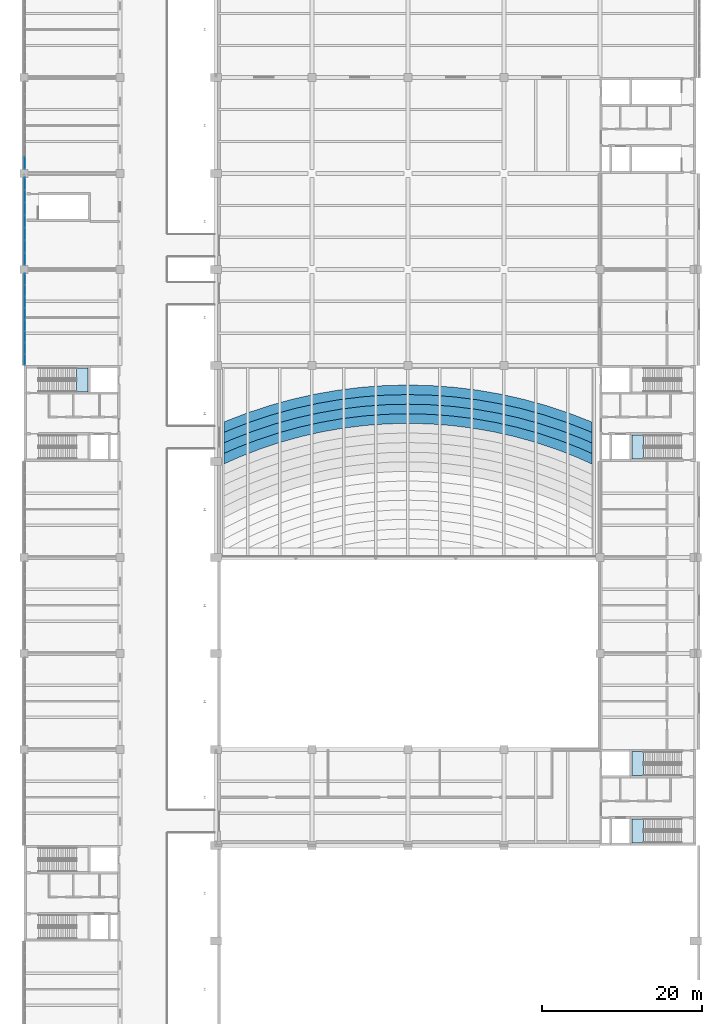
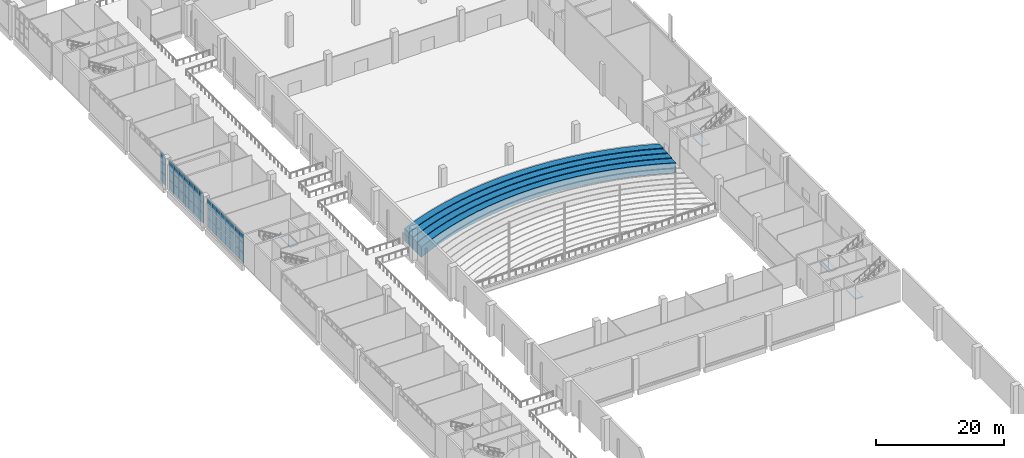
# One storey, part 45 of 72: 48 plates, 8 slabs, 7 elements without a shape of their own.
"""IFC4 building model written with IfcOpenShell, lengths in metres."""

from ifc_helpers import new_model, si_unit, direction, frame, origin, origin_2d, place, context, subcontext, project, spatial, polyline, rectangle, outline, extrude, material, layer, layer_set, type_object, element, aggregate, save


model = new_model("IFC4")

# Units and contexts
model_context = context("Model", 3, precision=1e-05, world=origin(), true_north=direction((0.0, 1.0)))
body_context = subcontext(model_context, "Body", "Model", "MODEL_VIEW")
ifc_project = project(units=[si_unit("LENGTHUNIT", "METRE"), si_unit("AREAUNIT", "SQUARE_METRE"), si_unit("VOLUMEUNIT", "CUBIC_METRE"), si_unit("PLANEANGLEUNIT", "RADIAN"), si_unit("MASSUNIT", "GRAM", prefix="KILO")], contexts=[model_context])

# Site, building, storey
site_placement = place(None, origin())
site = spatial("IfcSite", under=ifc_project, at=site_placement, CompositionType="ELEMENT")
building_placement = place(site_placement, origin())
building = spatial("IfcBuilding", under=site, at=building_placement, Name="Lilac Gate Convention Centre", CompositionType="ELEMENT")
storey_placement = place(building_placement, frame((0.0, 0.0, 6.0)))
storey = spatial("IfcBuildingStorey", under=building, at=storey_placement, Name="L01", CompositionType="ELEMENT", Elevation=6.0)

# Curtain wall, plates
ifc_material_1 = material(Name="Aluminium framed double glazing", Category="aluminium")
ifc_layer_1 = layer(ifc_material_1, 0.199951171875)
ifc_layer_set_1 = layer_set([ifc_layer_1], Name="Aluminium framed double glazing")
curtain_wall_type = type_object("IfcCurtainWallType", Name="Unitised curtain wall 1500", PredefinedType="NOTDEFINED", material=ifc_layer_set_1)
curtain_wall_1_placement = place(storey_placement, origin())
curtain_wall_1 = element("IfcCurtainWall", 1, at=curtain_wall_1_placement, inside=storey, type_object=curtain_wall_type, Name="Curtain wall PW L01 2", PredefinedType="NOTDEFINED")
ifc_material_2 = material(Name="Double glazed unit low emissivity")
ifc_layer_2 = layer(ifc_material_2, 0.028076171875)
ifc_layer_set_2 = layer_set([ifc_layer_2], Name="Double glazed unit low emissivity")
plate_type_1 = type_object("IfcPlateType", Name="Curtain wall glass panel 28", PredefinedType="CURTAIN_PANEL", material=ifc_layer_set_2)
plate_1_placement = place(storey_placement, frame((6.10009765625, 187.30078125, 1.94677734375), z_axis=(0.0, 0.0, 1.0), x_axis=(0.0, -1.0, 0.0)))
plate_1 = element("IfcPlate", 2, at=plate_1_placement, type_object=plate_type_1, Name="CW panel 7.2", PredefinedType="CURTAIN_PANEL", context=body_context, shape_type="SweptSolid", body=[
    extrude(rectangle(XDim=1.4814453125, YDim=0.028076171875, at=origin_2d()), origin(), (0.0, 0.0, 1.0), 1.856689453125),
])
plate_2_placement = place(storey_placement, frame((6.10009765625, 187.30078125, 3.86328125), z_axis=(0.0, 0.0, 1.0), x_axis=(0.0, -1.0, 0.0)))
plate_2 = element("IfcPlate", 3, at=plate_2_placement, type_object=plate_type_1, Name="CW panel 7.3", PredefinedType="CURTAIN_PANEL", context=body_context, shape_type="SweptSolid", body=[
    extrude(rectangle(XDim=1.4814453125, YDim=0.028076171875, at=origin_2d()), origin(), (0.0, 0.0, 1.0), 1.82666015625),
])

curtain_wall_2_placement = place(storey_placement, origin())
curtain_wall_2 = element("IfcCurtainWall", 4, at=curtain_wall_2_placement, inside=storey, type_object=curtain_wall_type, Name="Curtain wall PW L01 3", PredefinedType="NOTDEFINED")
plate_3_placement = place(storey_placement, frame((6.10009765625, 184.69921875, 1.94677734375), z_axis=(0.0, 0.0, 1.0), x_axis=(0.0, -1.0, 0.0)))
plate_3 = element("IfcPlate", 5, at=plate_3_placement, type_object=plate_type_1, Name="CW panel 1.2", PredefinedType="CURTAIN_PANEL", context=body_context, shape_type="SweptSolid", body=[
    extrude(rectangle(XDim=1.4814453125, YDim=0.028076171875, at=origin_2d()), origin(), (0.0, 0.0, 1.0), 1.856689453125),
])
plate_4_placement = place(storey_placement, frame((6.10009765625, 184.69921875, 3.86328125), z_axis=(0.0, 0.0, 1.0), x_axis=(0.0, -1.0, 0.0)))
plate_4 = element("IfcPlate", 6, at=plate_4_placement, type_object=plate_type_1, Name="CW panel 1.3", PredefinedType="CURTAIN_PANEL", context=body_context, shape_type="SweptSolid", body=[
    extrude(rectangle(XDim=1.4814453125, YDim=0.028076171875, at=origin_2d()), origin(), (0.0, 0.0, 1.0), 1.82666015625),
])
plate_5_placement = place(storey_placement, frame((6.10009765625, 183.142822265625, 1.94677734375), z_axis=(0.0, 0.0, 1.0), x_axis=(0.0, -1.0, 0.0)))
plate_5 = element("IfcPlate", 7, at=plate_5_placement, type_object=plate_type_1, Name="CW panel 2.2", PredefinedType="CURTAIN_PANEL", context=body_context, shape_type="SweptSolid", body=[
    extrude(rectangle(XDim=1.511474609375, YDim=0.028076171875, at=origin_2d()), origin(), (0.0, 0.0, 1.0), 1.856689453125),
])
plate_6_placement = place(storey_placement, frame((6.10009765625, 183.142822265625, 3.86328125), z_axis=(0.0, 0.0, 1.0), x_axis=(0.0, -1.0, 0.0)))
plate_6 = element("IfcPlate", 8, at=plate_6_placement, type_object=plate_type_1, Name="CW panel 2.3", PredefinedType="CURTAIN_PANEL", context=body_context, shape_type="SweptSolid", body=[
    extrude(rectangle(XDim=1.511474609375, YDim=0.028076171875, at=origin_2d()), origin(), (0.0, 0.0, 1.0), 1.82666015625),
])
plate_7_placement = place(storey_placement, frame((6.10009765625, 181.571533203125, 1.94677734375), z_axis=(0.0, 0.0, 1.0), x_axis=(0.0, -1.0, 0.0)))
plate_7 = element("IfcPlate", 9, at=plate_7_placement, type_object=plate_type_1, Name="CW panel 3.2", PredefinedType="CURTAIN_PANEL", context=body_context, shape_type="SweptSolid", body=[
    extrude(rectangle(XDim=1.511474609375, YDim=0.028076171875, at=origin_2d()), origin(), (0.0, 0.0, 1.0), 1.856689453125),
])
plate_8_placement = place(storey_placement, frame((6.10009765625, 181.571533203125, 3.86328125), z_axis=(0.0, 0.0, 1.0), x_axis=(0.0, -1.0, 0.0)))
plate_8 = element("IfcPlate", 10, at=plate_8_placement, type_object=plate_type_1, Name="CW panel 3.3", PredefinedType="CURTAIN_PANEL", context=body_context, shape_type="SweptSolid", body=[
    extrude(rectangle(XDim=1.511474609375, YDim=0.028076171875, at=origin_2d()), origin(), (0.0, 0.0, 1.0), 1.82666015625),
])
plate_9_placement = place(storey_placement, frame((6.10009765625, 180.0, 1.94677734375), z_axis=(0.0, 0.0, 1.0), x_axis=(0.0, -1.0, 0.0)))
plate_9 = element("IfcPlate", 11, at=plate_9_placement, type_object=plate_type_1, Name="CW panel 4.2", PredefinedType="CURTAIN_PANEL", context=body_context, shape_type="SweptSolid", body=[
    extrude(rectangle(XDim=1.511474609375, YDim=0.028076171875, at=origin_2d()), origin(), (0.0, 0.0, 1.0), 1.856689453125),
])
plate_10_placement = place(storey_placement, frame((6.10009765625, 180.0, 3.86328125), z_axis=(0.0, 0.0, 1.0), x_axis=(0.0, -1.0, 0.0)))
plate_10 = element("IfcPlate", 12, at=plate_10_placement, type_object=plate_type_1, Name="CW panel 4.3", PredefinedType="CURTAIN_PANEL", context=body_context, shape_type="SweptSolid", body=[
    extrude(rectangle(XDim=1.511474609375, YDim=0.028076171875, at=origin_2d()), origin(), (0.0, 0.0, 1.0), 1.82666015625),
])
plate_11_placement = place(storey_placement, frame((6.10009765625, 178.428466796875, 1.94677734375), z_axis=(0.0, 0.0, 1.0), x_axis=(0.0, -1.0, 0.0)))
plate_11 = element("IfcPlate", 13, at=plate_11_placement, type_object=plate_type_1, Name="CW panel 5.2", PredefinedType="CURTAIN_PANEL", context=body_context, shape_type="SweptSolid", body=[
    extrude(rectangle(XDim=1.511474609375, YDim=0.028076171875, at=origin_2d()), origin(), (0.0, 0.0, 1.0), 1.856689453125),
])
plate_12_placement = place(storey_placement, frame((6.10009765625, 178.428466796875, 3.86328125), z_axis=(0.0, 0.0, 1.0), x_axis=(0.0, -1.0, 0.0)))
plate_12 = element("IfcPlate", 14, at=plate_12_placement, type_object=plate_type_1, Name="CW panel 5.3", PredefinedType="CURTAIN_PANEL", context=body_context, shape_type="SweptSolid", body=[
    extrude(rectangle(XDim=1.511474609375, YDim=0.028076171875, at=origin_2d()), origin(), (0.0, 0.0, 1.0), 1.82666015625),
])
plate_13_placement = place(storey_placement, frame((6.10009765625, 176.857177734375, 1.94677734375), z_axis=(0.0, 0.0, 1.0), x_axis=(0.0, -1.0, 0.0)))
plate_13 = element("IfcPlate", 15, at=plate_13_placement, type_object=plate_type_1, Name="CW panel 6.2", PredefinedType="CURTAIN_PANEL", context=body_context, shape_type="SweptSolid", body=[
    extrude(rectangle(XDim=1.511474609375, YDim=0.028076171875, at=origin_2d()), origin(), (0.0, 0.0, 1.0), 1.856689453125),
])
plate_14_placement = place(storey_placement, frame((6.10009765625, 176.857177734375, 3.86328125), z_axis=(0.0, 0.0, 1.0), x_axis=(0.0, -1.0, 0.0)))
plate_14 = element("IfcPlate", 16, at=plate_14_placement, type_object=plate_type_1, Name="CW panel 6.3", PredefinedType="CURTAIN_PANEL", context=body_context, shape_type="SweptSolid", body=[
    extrude(rectangle(XDim=1.511474609375, YDim=0.028076171875, at=origin_2d()), origin(), (0.0, 0.0, 1.0), 1.82666015625),
])
plate_15_placement = place(storey_placement, frame((6.10009765625, 175.30078125, 1.94677734375), z_axis=(0.0, 0.0, 1.0), x_axis=(0.0, -1.0, 0.0)))
plate_15 = element("IfcPlate", 17, at=plate_15_placement, type_object=plate_type_1, Name="CW panel 7.2", PredefinedType="CURTAIN_PANEL", context=body_context, shape_type="SweptSolid", body=[
    extrude(rectangle(XDim=1.4814453125, YDim=0.028076171875, at=origin_2d()), origin(), (0.0, 0.0, 1.0), 1.856689453125),
])
plate_16_placement = place(storey_placement, frame((6.10009765625, 175.30078125, 3.86328125), z_axis=(0.0, 0.0, 1.0), x_axis=(0.0, -1.0, 0.0)))
plate_16 = element("IfcPlate", 18, at=plate_16_placement, type_object=plate_type_1, Name="CW panel 7.3", PredefinedType="CURTAIN_PANEL", context=body_context, shape_type="SweptSolid", body=[
    extrude(rectangle(XDim=1.4814453125, YDim=0.028076171875, at=origin_2d()), origin(), (0.0, 0.0, 1.0), 1.82666015625),
])

curtain_wall_3_placement = place(storey_placement, origin())
curtain_wall_3 = element("IfcCurtainWall", 19, at=curtain_wall_3_placement, inside=storey, type_object=curtain_wall_type, Name="Curtain wall PW L01 4", PredefinedType="NOTDEFINED")
plate_17_placement = place(storey_placement, frame((6.10009765625, 172.766357421875, 1.94677734375), z_axis=(0.0, 0.0, 1.0), x_axis=(0.0, -1.0, 0.0)))
plate_17 = element("IfcPlate", 20, at=plate_17_placement, type_object=plate_type_1, Name="CW panel 1.2", PredefinedType="CURTAIN_PANEL", context=body_context, shape_type="SweptSolid", body=[
    extrude(rectangle(XDim=1.347412109375, YDim=0.028076171875, at=origin_2d()), origin(), (0.0, 0.0, 1.0), 1.856689453125),
])
plate_18_placement = place(storey_placement, frame((6.10009765625, 172.766357421875, 3.86328125), z_axis=(0.0, 0.0, 1.0), x_axis=(0.0, -1.0, 0.0)))
plate_18 = element("IfcPlate", 21, at=plate_18_placement, type_object=plate_type_1, Name="CW panel 1.3", PredefinedType="CURTAIN_PANEL", context=body_context, shape_type="SweptSolid", body=[
    extrude(rectangle(XDim=1.347412109375, YDim=0.028076171875, at=origin_2d()), origin(), (0.0, 0.0, 1.0), 1.82666015625),
])
plate_19_placement = place(storey_placement, frame((6.10009765625, 171.34375, 1.94677734375), z_axis=(0.0, 0.0, 1.0), x_axis=(0.0, -1.0, 0.0)))
plate_19 = element("IfcPlate", 22, at=plate_19_placement, type_object=plate_type_1, Name="CW panel 2.2", PredefinedType="CURTAIN_PANEL", context=body_context, shape_type="SweptSolid", body=[
    extrude(rectangle(XDim=1.37744140625, YDim=0.028076171875, at=origin_2d()), origin(), (0.0, 0.0, 1.0), 1.856689453125),
])
plate_20_placement = place(storey_placement, frame((6.10009765625, 171.34375, 3.86328125), z_axis=(0.0, 0.0, 1.0), x_axis=(0.0, -1.0, 0.0)))
plate_20 = element("IfcPlate", 23, at=plate_20_placement, type_object=plate_type_1, Name="CW panel 2.3", PredefinedType="CURTAIN_PANEL", context=body_context, shape_type="SweptSolid", body=[
    extrude(rectangle(XDim=1.37744140625, YDim=0.028076171875, at=origin_2d()), origin(), (0.0, 0.0, 1.0), 1.82666015625),
])
plate_21_placement = place(storey_placement, frame((6.10009765625, 169.90625, 1.94677734375), z_axis=(0.0, 0.0, 1.0), x_axis=(0.0, -1.0, 0.0)))
plate_21 = element("IfcPlate", 24, at=plate_21_placement, type_object=plate_type_1, Name="CW panel 3.2", PredefinedType="CURTAIN_PANEL", context=body_context, shape_type="SweptSolid", body=[
    extrude(rectangle(XDim=1.37744140625, YDim=0.028076171875, at=origin_2d()), origin(), (0.0, 0.0, 1.0), 1.856689453125),
])
plate_22_placement = place(storey_placement, frame((6.10009765625, 169.90625, 3.86328125), z_axis=(0.0, 0.0, 1.0), x_axis=(0.0, -1.0, 0.0)))
plate_22 = element("IfcPlate", 25, at=plate_22_placement, type_object=plate_type_1, Name="CW panel 3.3", PredefinedType="CURTAIN_PANEL", context=body_context, shape_type="SweptSolid", body=[
    extrude(rectangle(XDim=1.37744140625, YDim=0.028076171875, at=origin_2d()), origin(), (0.0, 0.0, 1.0), 1.82666015625),
])
plate_23_placement = place(storey_placement, frame((6.10009765625, 168.46875, 1.94677734375), z_axis=(0.0, 0.0, 1.0), x_axis=(0.0, -1.0, 0.0)))
plate_23 = element("IfcPlate", 26, at=plate_23_placement, type_object=plate_type_1, Name="CW panel 4.2", PredefinedType="CURTAIN_PANEL", context=body_context, shape_type="SweptSolid", body=[
    extrude(rectangle(XDim=1.37744140625, YDim=0.028076171875, at=origin_2d()), origin(), (0.0, 0.0, 1.0), 1.856689453125),
])
plate_24_placement = place(storey_placement, frame((6.10009765625, 168.46875, 3.86328125), z_axis=(0.0, 0.0, 1.0), x_axis=(0.0, -1.0, 0.0)))
plate_24 = element("IfcPlate", 27, at=plate_24_placement, type_object=plate_type_1, Name="CW panel 4.3", PredefinedType="CURTAIN_PANEL", context=body_context, shape_type="SweptSolid", body=[
    extrude(rectangle(XDim=1.37744140625, YDim=0.028076171875, at=origin_2d()), origin(), (0.0, 0.0, 1.0), 1.82666015625),
])
plate_25_placement = place(storey_placement, frame((6.10009765625, 167.03125, 1.94677734375), z_axis=(0.0, 0.0, 1.0), x_axis=(0.0, -1.0, 0.0)))
plate_25 = element("IfcPlate", 28, at=plate_25_placement, type_object=plate_type_1, Name="CW panel 5.2", PredefinedType="CURTAIN_PANEL", context=body_context, shape_type="SweptSolid", body=[
    extrude(rectangle(XDim=1.37744140625, YDim=0.028076171875, at=origin_2d()), origin(), (0.0, 0.0, 1.0), 1.856689453125),
])
plate_26_placement = place(storey_placement, frame((6.10009765625, 167.03125, 3.86328125), z_axis=(0.0, 0.0, 1.0), x_axis=(0.0, -1.0, 0.0)))
plate_26 = element("IfcPlate", 29, at=plate_26_placement, type_object=plate_type_1, Name="CW panel 5.3", PredefinedType="CURTAIN_PANEL", context=body_context, shape_type="SweptSolid", body=[
    extrude(rectangle(XDim=1.37744140625, YDim=0.028076171875, at=origin_2d()), origin(), (0.0, 0.0, 1.0), 1.82666015625),
])
plate_27_placement = place(storey_placement, frame((6.10009765625, 165.59375, 1.94677734375), z_axis=(0.0, 0.0, 1.0), x_axis=(0.0, -1.0, 0.0)))
plate_27 = element("IfcPlate", 30, at=plate_27_placement, type_object=plate_type_1, Name="CW panel 6.2", PredefinedType="CURTAIN_PANEL", context=body_context, shape_type="SweptSolid", body=[
    extrude(rectangle(XDim=1.37744140625, YDim=0.028076171875, at=origin_2d()), origin(), (0.0, 0.0, 1.0), 1.856689453125),
])
plate_28_placement = place(storey_placement, frame((6.10009765625, 165.59375, 3.86328125), z_axis=(0.0, 0.0, 1.0), x_axis=(0.0, -1.0, 0.0)))
plate_28 = element("IfcPlate", 31, at=plate_28_placement, type_object=plate_type_1, Name="CW panel 6.3", PredefinedType="CURTAIN_PANEL", context=body_context, shape_type="SweptSolid", body=[
    extrude(rectangle(XDim=1.37744140625, YDim=0.028076171875, at=origin_2d()), origin(), (0.0, 0.0, 1.0), 1.82666015625),
])
plate_29_placement = place(storey_placement, frame((6.10009765625, 164.15625, 1.94677734375), z_axis=(0.0, 0.0, 1.0), x_axis=(0.0, -1.0, 0.0)))
plate_29 = element("IfcPlate", 32, at=plate_29_placement, type_object=plate_type_1, Name="CW panel 7.2", PredefinedType="CURTAIN_PANEL", context=body_context, shape_type="SweptSolid", body=[
    extrude(rectangle(XDim=1.37744140625, YDim=0.028076171875, at=origin_2d()), origin(), (0.0, 0.0, 1.0), 1.856689453125),
])
plate_30_placement = place(storey_placement, frame((6.10009765625, 164.15625, 3.86328125), z_axis=(0.0, 0.0, 1.0), x_axis=(0.0, -1.0, 0.0)))
plate_30 = element("IfcPlate", 33, at=plate_30_placement, type_object=plate_type_1, Name="CW panel 7.3", PredefinedType="CURTAIN_PANEL", context=body_context, shape_type="SweptSolid", body=[
    extrude(rectangle(XDim=1.37744140625, YDim=0.028076171875, at=origin_2d()), origin(), (0.0, 0.0, 1.0), 1.82666015625),
])
plate_31_placement = place(storey_placement, frame((6.10009765625, 162.733642578125, 1.94677734375), z_axis=(0.0, 0.0, 1.0), x_axis=(0.0, -1.0, 0.0)))
plate_31 = element("IfcPlate", 34, at=plate_31_placement, type_object=plate_type_1, Name="CW panel 8.2", PredefinedType="CURTAIN_PANEL", context=body_context, shape_type="SweptSolid", body=[
    extrude(rectangle(XDim=1.347412109375, YDim=0.028076171875, at=origin_2d()), origin(), (0.0, 0.0, 1.0), 1.856689453125),
])
plate_32_placement = place(storey_placement, frame((6.10009765625, 162.733642578125, 3.86328125), z_axis=(0.0, 0.0, 1.0), x_axis=(0.0, -1.0, 0.0)))
plate_32 = element("IfcPlate", 35, at=plate_32_placement, type_object=plate_type_1, Name="CW panel 8.3", PredefinedType="CURTAIN_PANEL", context=body_context, shape_type="SweptSolid", body=[
    extrude(rectangle(XDim=1.347412109375, YDim=0.028076171875, at=origin_2d()), origin(), (0.0, 0.0, 1.0), 1.82666015625),
])

# Plate
ifc_material_3 = material(Name="Insulated aluminium spandrel panel", Category="aluminium")
ifc_layer_3 = layer(ifc_material_3, 0.028076171875)
ifc_layer_set_3 = layer_set([ifc_layer_3], Name="Insulated aluminium spandrel panel")
plate_type_2 = type_object("IfcPlateType", Name="Curtain wall spandrel panel 28", PredefinedType="CURTAIN_PANEL", material=ifc_layer_set_3)
plate_33_placement = place(storey_placement, frame((6.10009765625, 187.30078125, 0.06005859375), z_axis=(0.0, 0.0, 1.0), x_axis=(0.0, -1.0, 0.0)))
plate_33 = element("IfcPlate", 36, at=plate_33_placement, type_object=plate_type_2, Name="CW spandrel 7.1", PredefinedType="CURTAIN_PANEL", context=body_context, shape_type="SweptSolid", body=[
    extrude(rectangle(XDim=1.4814453125, YDim=0.028076171875, at=origin_2d()), origin(), (0.0, 0.0, 1.0), 1.82666015625),
])

aggregate(curtain_wall_1, [plate_33, plate_1, plate_2])

plate_34_placement = place(storey_placement, frame((6.10009765625, 184.69921875, 0.06005859375), z_axis=(0.0, 0.0, 1.0), x_axis=(0.0, -1.0, 0.0)))
plate_34 = element("IfcPlate", 37, at=plate_34_placement, type_object=plate_type_2, Name="CW spandrel 1.1", PredefinedType="CURTAIN_PANEL", context=body_context, shape_type="SweptSolid", body=[
    extrude(rectangle(XDim=1.4814453125, YDim=0.028076171875, at=origin_2d()), origin(), (0.0, 0.0, 1.0), 1.82666015625),
])

plate_35_placement = place(storey_placement, frame((6.10009765625, 183.142822265625, 0.06005859375), z_axis=(0.0, 0.0, 1.0), x_axis=(0.0, -1.0, 0.0)))
plate_35 = element("IfcPlate", 38, at=plate_35_placement, type_object=plate_type_2, Name="CW spandrel 2.1", PredefinedType="CURTAIN_PANEL", context=body_context, shape_type="SweptSolid", body=[
    extrude(rectangle(XDim=1.511474609375, YDim=0.028076171875, at=origin_2d()), origin(), (0.0, 0.0, 1.0), 1.82666015625),
])

plate_36_placement = place(storey_placement, frame((6.10009765625, 181.571533203125, 0.06005859375), z_axis=(0.0, 0.0, 1.0), x_axis=(0.0, -1.0, 0.0)))
plate_36 = element("IfcPlate", 39, at=plate_36_placement, type_object=plate_type_2, Name="CW spandrel 3.1", PredefinedType="CURTAIN_PANEL", context=body_context, shape_type="SweptSolid", body=[
    extrude(rectangle(XDim=1.511474609375, YDim=0.028076171875, at=origin_2d()), origin(), (0.0, 0.0, 1.0), 1.82666015625),
])

plate_37_placement = place(storey_placement, frame((6.10009765625, 180.0, 0.06005859375), z_axis=(0.0, 0.0, 1.0), x_axis=(0.0, -1.0, 0.0)))
plate_37 = element("IfcPlate", 40, at=plate_37_placement, type_object=plate_type_2, Name="CW spandrel 4.1", PredefinedType="CURTAIN_PANEL", context=body_context, shape_type="SweptSolid", body=[
    extrude(rectangle(XDim=1.511474609375, YDim=0.028076171875, at=origin_2d()), origin(), (0.0, 0.0, 1.0), 1.82666015625),
])

plate_38_placement = place(storey_placement, frame((6.10009765625, 178.428466796875, 0.06005859375), z_axis=(0.0, 0.0, 1.0), x_axis=(0.0, -1.0, 0.0)))
plate_38 = element("IfcPlate", 41, at=plate_38_placement, type_object=plate_type_2, Name="CW spandrel 5.1", PredefinedType="CURTAIN_PANEL", context=body_context, shape_type="SweptSolid", body=[
    extrude(rectangle(XDim=1.511474609375, YDim=0.028076171875, at=origin_2d()), origin(), (0.0, 0.0, 1.0), 1.82666015625),
])

plate_39_placement = place(storey_placement, frame((6.10009765625, 176.857177734375, 0.06005859375), z_axis=(0.0, 0.0, 1.0), x_axis=(0.0, -1.0, 0.0)))
plate_39 = element("IfcPlate", 42, at=plate_39_placement, type_object=plate_type_2, Name="CW spandrel 6.1", PredefinedType="CURTAIN_PANEL", context=body_context, shape_type="SweptSolid", body=[
    extrude(rectangle(XDim=1.511474609375, YDim=0.028076171875, at=origin_2d()), origin(), (0.0, 0.0, 1.0), 1.82666015625),
])

plate_40_placement = place(storey_placement, frame((6.10009765625, 175.30078125, 0.06005859375), z_axis=(0.0, 0.0, 1.0), x_axis=(0.0, -1.0, 0.0)))
plate_40 = element("IfcPlate", 43, at=plate_40_placement, type_object=plate_type_2, Name="CW spandrel 7.1", PredefinedType="CURTAIN_PANEL", context=body_context, shape_type="SweptSolid", body=[
    extrude(rectangle(XDim=1.4814453125, YDim=0.028076171875, at=origin_2d()), origin(), (0.0, 0.0, 1.0), 1.82666015625),
])

aggregate(curtain_wall_2, [plate_34, plate_3, plate_4, plate_35, plate_5, plate_6, plate_36, plate_7, plate_8, plate_37, plate_9, plate_10, plate_38, plate_11, plate_12, plate_39, plate_13, plate_14, plate_40, plate_15, plate_16])

plate_41_placement = place(storey_placement, frame((6.10009765625, 172.766357421875, 0.06005859375), z_axis=(0.0, 0.0, 1.0), x_axis=(0.0, -1.0, 0.0)))
plate_41 = element("IfcPlate", 44, at=plate_41_placement, type_object=plate_type_2, Name="CW spandrel 1.1", PredefinedType="CURTAIN_PANEL", context=body_context, shape_type="SweptSolid", body=[
    extrude(rectangle(XDim=1.347412109375, YDim=0.028076171875, at=origin_2d()), origin(), (0.0, 0.0, 1.0), 1.82666015625),
])

plate_42_placement = place(storey_placement, frame((6.10009765625, 171.34375, 0.06005859375), z_axis=(0.0, 0.0, 1.0), x_axis=(0.0, -1.0, 0.0)))
plate_42 = element("IfcPlate", 45, at=plate_42_placement, type_object=plate_type_2, Name="CW spandrel 2.1", PredefinedType="CURTAIN_PANEL", context=body_context, shape_type="SweptSolid", body=[
    extrude(rectangle(XDim=1.37744140625, YDim=0.028076171875, at=origin_2d()), origin(), (0.0, 0.0, 1.0), 1.82666015625),
])

plate_43_placement = place(storey_placement, frame((6.10009765625, 169.90625, 0.06005859375), z_axis=(0.0, 0.0, 1.0), x_axis=(0.0, -1.0, 0.0)))
plate_43 = element("IfcPlate", 46, at=plate_43_placement, type_object=plate_type_2, Name="CW spandrel 3.1", PredefinedType="CURTAIN_PANEL", context=body_context, shape_type="SweptSolid", body=[
    extrude(rectangle(XDim=1.37744140625, YDim=0.028076171875, at=origin_2d()), origin(), (0.0, 0.0, 1.0), 1.82666015625),
])

plate_44_placement = place(storey_placement, frame((6.10009765625, 168.46875, 0.06005859375), z_axis=(0.0, 0.0, 1.0), x_axis=(0.0, -1.0, 0.0)))
plate_44 = element("IfcPlate", 47, at=plate_44_placement, type_object=plate_type_2, Name="CW spandrel 4.1", PredefinedType="CURTAIN_PANEL", context=body_context, shape_type="SweptSolid", body=[
    extrude(rectangle(XDim=1.37744140625, YDim=0.028076171875, at=origin_2d()), origin(), (0.0, 0.0, 1.0), 1.82666015625),
])

plate_45_placement = place(storey_placement, frame((6.10009765625, 167.03125, 0.06005859375), z_axis=(0.0, 0.0, 1.0), x_axis=(0.0, -1.0, 0.0)))
plate_45 = element("IfcPlate", 48, at=plate_45_placement, type_object=plate_type_2, Name="CW spandrel 5.1", PredefinedType="CURTAIN_PANEL", context=body_context, shape_type="SweptSolid", body=[
    extrude(rectangle(XDim=1.37744140625, YDim=0.028076171875, at=origin_2d()), origin(), (0.0, 0.0, 1.0), 1.82666015625),
])

plate_46_placement = place(storey_placement, frame((6.10009765625, 165.59375, 0.06005859375), z_axis=(0.0, 0.0, 1.0), x_axis=(0.0, -1.0, 0.0)))
plate_46 = element("IfcPlate", 49, at=plate_46_placement, type_object=plate_type_2, Name="CW spandrel 6.1", PredefinedType="CURTAIN_PANEL", context=body_context, shape_type="SweptSolid", body=[
    extrude(rectangle(XDim=1.37744140625, YDim=0.028076171875, at=origin_2d()), origin(), (0.0, 0.0, 1.0), 1.82666015625),
])

plate_47_placement = place(storey_placement, frame((6.10009765625, 164.15625, 0.06005859375), z_axis=(0.0, 0.0, 1.0), x_axis=(0.0, -1.0, 0.0)))
plate_47 = element("IfcPlate", 50, at=plate_47_placement, type_object=plate_type_2, Name="CW spandrel 7.1", PredefinedType="CURTAIN_PANEL", context=body_context, shape_type="SweptSolid", body=[
    extrude(rectangle(XDim=1.37744140625, YDim=0.028076171875, at=origin_2d()), origin(), (0.0, 0.0, 1.0), 1.82666015625),
])

plate_48_placement = place(storey_placement, frame((6.10009765625, 162.733642578125, 0.06005859375), z_axis=(0.0, 0.0, 1.0), x_axis=(0.0, -1.0, 0.0)))
plate_48 = element("IfcPlate", 51, at=plate_48_placement, type_object=plate_type_2, Name="CW spandrel 8.1", PredefinedType="CURTAIN_PANEL", context=body_context, shape_type="SweptSolid", body=[
    extrude(rectangle(XDim=1.347412109375, YDim=0.028076171875, at=origin_2d()), origin(), (0.0, 0.0, 1.0), 1.82666015625),
])

aggregate(curtain_wall_3, [plate_41, plate_17, plate_18, plate_42, plate_19, plate_20, plate_43, plate_21, plate_22, plate_44, plate_23, plate_24, plate_45, plate_25, plate_26, plate_46, plate_27, plate_28, plate_47, plate_29, plate_30, plate_48, plate_31, plate_32])

# Slabs
ifc_material_4 = material(Name="Concrete C40", Category="concrete")
ifc_layer_4 = layer(ifc_material_4, 0.300048828125)
ifc_layer_set_4 = layer_set([ifc_layer_4], Name="Concrete C40")
slab_type_1 = type_object("IfcSlabType", Name="Seating tier 300 C40", PredefinedType="USERDEFINED", material=ifc_layer_set_4)
slab_1_placement = place(storey_placement, origin())
element("IfcSlab", 52, at=slab_1_placement, inside=storey, type_object=slab_type_1, Name="TS1 Stand Circle row 14", ObjectType="SEATING TIER", PredefinedType="USERDEFINED", context=body_context, shape_type="SweptSolid", body=[
    extrude(outline(polyline([(32.589111328125, 151.69091796875), (35.15087890625, 152.678955078125), (37.759033203125, 153.541015625), (40.405029296875, 154.27294921875), (43.0849609375, 154.875), (45.7900390625, 155.343994140625), (48.51611328125, 155.680908203125), (51.2548828125, 155.883056640625), (54.0, 155.949951171875), (56.7451171875, 155.883056640625), (59.48388671875, 155.680908203125), (62.2099609375, 155.343994140625), (64.9150390625, 154.875), (67.594970703125, 154.27294921875), (70.240966796875, 153.541015625), (72.84912109375, 152.678955078125), (75.410888671875, 151.69091796875), (77.0, 150.987060546875), (77.0, 149.675048828125), (74.951904296875, 150.58203125), (72.445068359375, 151.550048828125), (69.89306640625, 152.39208984375), (67.302978515625, 153.10888671875), (64.680908203125, 153.697998046875), (62.032958984375, 154.156982421875), (59.365966796875, 154.486083984375), (56.68603515625, 154.68408203125), (54.0, 154.75), (51.31396484375, 154.68408203125), (48.634033203125, 154.486083984375), (45.967041015625, 154.156982421875), (43.319091796875, 153.697998046875), (40.697021484375, 153.10888671875), (38.10693359375, 152.39208984375), (35.554931640625, 151.550048828125), (33.048095703125, 150.58203125), (31.0, 149.675048828125), (31.0, 150.987060546875), (32.589111328125, 151.69091796875)])), origin(), (0.0, 0.0, 1.0), 1.9599609375),
])
slab_2_placement = place(storey_placement, origin())
element("IfcSlab", 53, at=slab_2_placement, inside=storey, type_object=slab_type_1, Name="TS1 Stand Circle row 15", ObjectType="SEATING TIER", PredefinedType="USERDEFINED", context=body_context, shape_type="SweptSolid", body=[
    extrude(outline(polyline([(32.1298828125, 152.800048828125), (34.7470703125, 153.80908203125), (37.409912109375, 154.68896484375), (40.114013671875, 155.43701171875), (42.85107421875, 156.052001953125), (45.614013671875, 156.531005859375), (48.39794921875, 156.875), (51.196044921875, 157.0810546875), (54.0, 157.14990234375), (56.803955078125, 157.0810546875), (59.60205078125, 156.875), (62.385986328125, 156.531005859375), (65.14892578125, 156.052001953125), (67.885986328125, 155.43701171875), (70.590087890625, 154.68896484375), (73.2529296875, 153.80908203125), (75.8701171875, 152.800048828125), (77.0, 152.299072265625), (77.0, 150.987060546875), (75.410888671875, 151.69091796875), (72.84912109375, 152.678955078125), (70.240966796875, 153.541015625), (67.594970703125, 154.27294921875), (64.9150390625, 154.875), (62.2099609375, 155.343994140625), (59.48388671875, 155.680908203125), (56.7451171875, 155.883056640625), (54.0, 155.949951171875), (51.2548828125, 155.883056640625), (48.51611328125, 155.680908203125), (45.7900390625, 155.343994140625), (43.0849609375, 154.875), (40.405029296875, 154.27294921875), (37.759033203125, 153.541015625), (35.15087890625, 152.678955078125), (32.589111328125, 151.69091796875), (31.0, 150.987060546875), (31.0, 152.299072265625), (32.1298828125, 152.800048828125)])), origin(), (0.0, 0.0, 1.0), 2.10009765625),
])
slab_3_placement = place(storey_placement, origin())
element("IfcSlab", 54, at=slab_3_placement, inside=storey, type_object=slab_type_1, Name="TS1 Stand Circle row 16", ObjectType="SEATING TIER", PredefinedType="USERDEFINED", context=body_context, shape_type="SweptSolid", body=[
    extrude(outline(polyline([(31.669921875, 153.907958984375), (34.342041015625, 154.93896484375), (37.06201171875, 155.8369140625), (39.822021484375, 156.60107421875), (42.615966796875, 157.22900390625), (45.43798828125, 157.718017578125), (48.281005859375, 158.069091796875), (51.136962890625, 158.280029296875), (54.0, 158.35009765625), (56.863037109375, 158.280029296875), (59.718994140625, 158.069091796875), (62.56201171875, 157.718017578125), (65.384033203125, 157.22900390625), (68.177978515625, 156.60107421875), (70.93798828125, 155.8369140625), (73.657958984375, 154.93896484375), (76.330078125, 153.907958984375), (77.0, 153.611083984375), (77.0, 152.299072265625), (75.8701171875, 152.800048828125), (73.2529296875, 153.80908203125), (70.590087890625, 154.68896484375), (67.885986328125, 155.43701171875), (65.14892578125, 156.052001953125), (62.385986328125, 156.531005859375), (59.60205078125, 156.875), (56.803955078125, 157.0810546875), (54.0, 157.14990234375), (51.196044921875, 157.0810546875), (48.39794921875, 156.875), (45.614013671875, 156.531005859375), (42.85107421875, 156.052001953125), (40.114013671875, 155.43701171875), (37.409912109375, 154.68896484375), (34.7470703125, 153.80908203125), (32.1298828125, 152.800048828125), (31.0, 152.299072265625), (31.0, 153.611083984375), (31.669921875, 153.907958984375)])), origin(), (0.0, 0.0, 1.0), 2.239990234375),
])
slab_4_placement = place(storey_placement, origin())
element("IfcSlab", 55, at=slab_4_placement, inside=storey, type_object=slab_type_1, Name="TS1 Stand Circle row 17", ObjectType="SEATING TIER", PredefinedType="USERDEFINED", context=body_context, shape_type="SweptSolid", body=[
    extrude(outline(polyline([(31.2109375, 155.01708984375), (33.93798828125, 156.069091796875), (36.714111328125, 156.986083984375), (39.531005859375, 157.764892578125), (42.382080078125, 158.406005859375), (45.261962890625, 158.905029296875), (48.1630859375, 159.262939453125), (51.077880859375, 159.47802734375), (54.0, 159.550048828125), (56.922119140625, 159.47802734375), (59.8369140625, 159.262939453125), (62.738037109375, 158.905029296875), (65.617919921875, 158.406005859375), (68.468994140625, 157.764892578125), (71.285888671875, 156.986083984375), (74.06201171875, 156.069091796875), (76.7890625, 155.01708984375), (77.0, 154.923095703125), (77.0, 153.611083984375), (76.330078125, 153.907958984375), (73.657958984375, 154.93896484375), (70.93798828125, 155.8369140625), (68.177978515625, 156.60107421875), (65.384033203125, 157.22900390625), (62.56201171875, 157.718017578125), (59.718994140625, 158.069091796875), (56.863037109375, 158.280029296875), (54.0, 158.35009765625), (51.136962890625, 158.280029296875), (48.281005859375, 158.069091796875), (45.43798828125, 157.718017578125), (42.615966796875, 157.22900390625), (39.822021484375, 156.60107421875), (37.06201171875, 155.8369140625), (34.342041015625, 154.93896484375), (31.669921875, 153.907958984375), (31.0, 153.611083984375), (31.0, 154.923095703125), (31.2109375, 155.01708984375)])), origin(), (0.0, 0.0, 1.0), 2.3798828125),
])

# Stair, slab
stair_type = type_object("IfcStairType", Name="Exit stair two flights", PredefinedType="HALF_TURN_STAIR", material=ifc_material_4)
stair_1_placement = place(storey_placement, origin())
stair_1 = element("IfcStair", 56, at=stair_1_placement, inside=storey, type_object=stair_type, Name="Exit stair W3B L01 to L02", PredefinedType="HALF_TURN_STAIR")
ifc_layer_5 = layer(ifc_material_4, 0.199951171875)
ifc_layer_set_5 = layer_set([ifc_layer_5], Name="Concrete C40")
slab_type_2 = type_object("IfcSlabType", Name="Stair landing 200 precast", PredefinedType="LANDING", material=ifc_layer_set_5)
slab_5_placement = place(storey_placement, frame((0.0, 0.0, 2.800048828125)))
slab_5 = element("IfcSlab", 57, at=slab_5_placement, type_object=slab_type_2, Name="ST16 landing 1", PredefinedType="LANDING", context=body_context, shape_type="SweptSolid", body=[
    extrude(outline(polyline([(12.56005859375, 158.699951171875), (14.0, 158.699951171875), (14.0, 161.699951171875), (12.56005859375, 161.699951171875), (12.56005859375, 158.699951171875)])), origin(), (0.0, 0.0, 1.0), 0.199951171875),
])
aggregate(stair_1, [slab_5])

stair_2_placement = place(storey_placement, origin())
stair_2 = element("IfcStair", 58, at=stair_2_placement, inside=storey, type_object=stair_type, Name="Exit stair E1A L01 to L02", PredefinedType="HALF_TURN_STAIR")
slab_6_placement = place(storey_placement, frame((0.0, 0.0, 2.800048828125)))
slab_6 = element("IfcSlab", 59, at=slab_6_placement, type_object=slab_type_2, Name="ST27 landing 1", PredefinedType="LANDING", context=body_context, shape_type="SweptSolid", body=[
    extrude(outline(polyline([(82.0, 102.300048828125), (83.43994140625, 102.300048828125), (83.43994140625, 105.300048828125), (82.0, 105.300048828125), (82.0, 102.300048828125)])), origin(), (0.0, 0.0, 1.0), 0.199951171875),
])
aggregate(stair_2, [slab_6])

stair_3_placement = place(storey_placement, origin())
stair_3 = element("IfcStair", 60, at=stair_3_placement, inside=storey, type_object=stair_type, Name="Exit stair E1B L01 to L02", PredefinedType="HALF_TURN_STAIR")
slab_7_placement = place(storey_placement, frame((0.0, 0.0, 2.800048828125)))
slab_7 = element("IfcSlab", 61, at=slab_7_placement, type_object=slab_type_2, Name="ST28 landing 1", PredefinedType="LANDING", context=body_context, shape_type="SweptSolid", body=[
    extrude(outline(polyline([(82.0, 110.699951171875), (83.43994140625, 110.699951171875), (83.43994140625, 113.699951171875), (82.0, 113.699951171875), (82.0, 110.699951171875)])), origin(), (0.0, 0.0, 1.0), 0.199951171875),
])
aggregate(stair_3, [slab_7])

stair_4_placement = place(storey_placement, origin())
stair_4 = element("IfcStair", 62, at=stair_4_placement, inside=storey, type_object=stair_type, Name="Exit stair E2A L01 to L02", PredefinedType="HALF_TURN_STAIR")
slab_8_placement = place(storey_placement, frame((0.0, 0.0, 2.800048828125)))
slab_8 = element("IfcSlab", 63, at=slab_8_placement, type_object=slab_type_2, Name="ST31 landing 1", PredefinedType="LANDING", context=body_context, shape_type="SweptSolid", body=[
    extrude(outline(polyline([(82.0, 150.300048828125), (83.43994140625, 150.300048828125), (83.43994140625, 153.300048828125), (82.0, 153.300048828125), (82.0, 150.300048828125)])), origin(), (0.0, 0.0, 1.0), 0.199951171875),
])
aggregate(stair_4, [slab_8])

save(model, "model.ifc")
